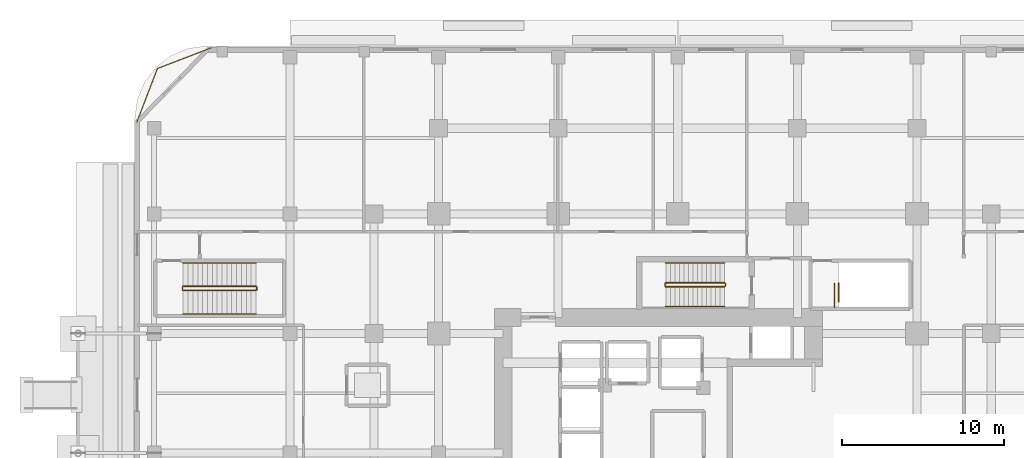
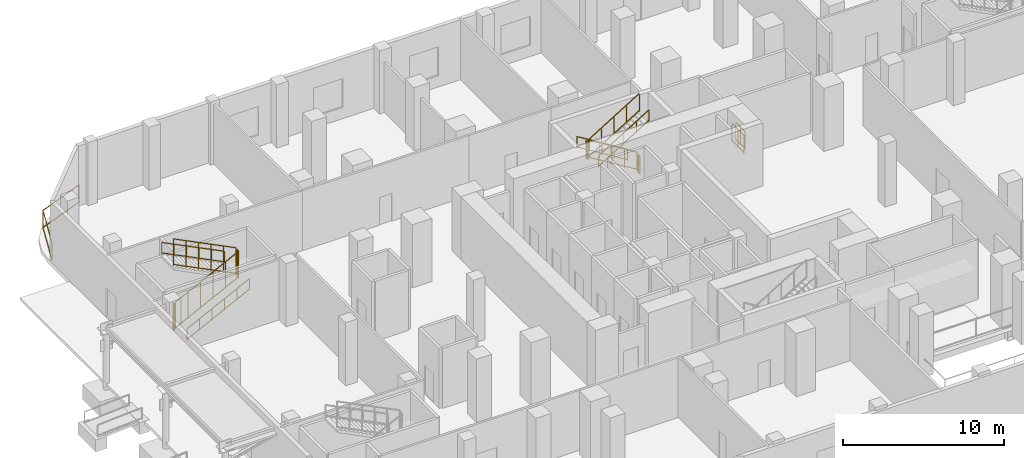
# One storey, part 21 of 24: 15 railings.
"""IFC4 building model written with IfcOpenShell, lengths in metres."""

from ifc_helpers import new_model, si_unit, direction, frame, origin, origin_2d, place, context, subcontext, project, spatial, rectangle, extrude, material, type_object, element, save


model = new_model("IFC4")

# Units and contexts
model_context = context("Model", 3, precision=1e-05, world=origin(), true_north=direction((0.0, 1.0)))
body_context = subcontext(model_context, "Body", "Model", "MODEL_VIEW")
ifc_project = project(units=[si_unit("LENGTHUNIT", "METRE"), si_unit("AREAUNIT", "SQUARE_METRE"), si_unit("VOLUMEUNIT", "CUBIC_METRE"), si_unit("PLANEANGLEUNIT", "RADIAN"), si_unit("MASSUNIT", "GRAM", prefix="KILO")], contexts=[model_context])

# Site, building, storey
site_placement = place(None, origin())
site = spatial("IfcSite", under=ifc_project, at=site_placement, CompositionType="ELEMENT")
building_placement = place(site_placement, origin())
building = spatial("IfcBuilding", under=site, at=building_placement, Name="Khorvyn Point Tower", CompositionType="ELEMENT")
storey_placement = place(building_placement, origin())
storey = spatial("IfcBuildingStorey", under=building, at=storey_placement, Name="L01", CompositionType="ELEMENT", Elevation=0.0)

# Railings
ifc_material_1 = material(Name="Anodised aluminium 6063-T6 and laminated safety glass", Category="aluminium")
railing_type_1 = type_object("IfcRailingType", Name="Laminated Glass and Aluminium Balcony Guardrail 1400", PredefinedType="BALUSTRADE", material=ifc_material_1)
railing_1_placement = place(storey_placement, frame((-28.870849609375, 25.073974609375, 0.0)))
element("IfcRailing", 1, at=railing_1_placement, inside=storey, type_object=railing_type_1, Name="L01 Rounded Corner Edge Guardrail NW", PredefinedType="BALUSTRADE", context=body_context, shape_type="SweptSolid", body=[
    extrude(rectangle(XDim=0.048095703125, YDim=0.048095703125, at=origin_2d()), frame((0.0, 0.0, 1.3759765625), z_axis=(-0.933575007025, -0.358382067435, 0.0), x_axis=(0.358382067435, -0.933575007025, 0.0)), (0.0, 0.0, 1.0), 3.562744140625),
    extrude(rectangle(XDim=0.048095703125, YDim=0.048095703125, at=origin_2d()), frame((0.0, 0.0, 0.080078125), z_axis=(-0.933575007025, -0.358382067435, 0.0), x_axis=(0.358382067435, -0.933575007025, 0.0)), (0.0, 0.0, 1.0), 3.562744140625),
    extrude(rectangle(XDim=0.048095703125, YDim=0.048095703125, at=origin_2d()), frame((-3.326171875, -1.27685546875, 1.3759765625), z_axis=(-0.35841886047, -0.933560882031, 0.0), x_axis=(0.933560882031, -0.35841886047, 0.0)), (0.0, 0.0, 1.0), 3.563232421875),
    extrude(rectangle(XDim=0.048095703125, YDim=0.048095703125, at=origin_2d()), frame((-3.326171875, -1.27685546875, 0.080078125), z_axis=(-0.35841886047, -0.933560882031, 0.0), x_axis=(0.933560882031, -0.35841886047, 0.0)), (0.0, 0.0, 1.0), 3.563232421875),
    extrude(rectangle(XDim=0.0419921875, YDim=0.0419921875, at=origin_2d()), origin(), (0.0, 0.0, 1.0), 1.351806640625),
    extrude(rectangle(XDim=0.0419921875, YDim=0.0419921875, at=origin_2d()), frame((-3.326171875, -1.27685546875, 0.0)), (0.0, 0.0, 1.0), 1.351806640625),
    extrude(rectangle(XDim=0.0419921875, YDim=0.0419921875, at=origin_2d()), frame((-4.603271484375, -4.603271484375, 0.0)), (0.0, 0.0, 1.0), 1.351806640625),
])
ifc_material_2 = material(Name="Stainless steel 1.4301", Category="steel")
railing_type_2 = type_object("IfcRailingType", Name="Stainless Steel 304 Stair Pitch Handrail 900", PredefinedType="HANDRAIL", material=ifc_material_2)
railing_2_placement = place(storey_placement, frame((2.89990234375, 11.77001953125, 0.17138671875)))
element("IfcRailing", 2, at=railing_2_placement, inside=storey, type_object=railing_type_2, Name="L01 ST-02 stair handrail 1", PredefinedType="HANDRAIL", context=body_context, shape_type="SweptSolid", body=[
    extrude(rectangle(XDim=0.048095703125, YDim=0.048095703125, at=origin_2d()), frame((0.0, 0.0, 0.8759765625), z_axis=(-0.852850264322, 0.0, 0.5221555579), x_axis=(0.0, -1.0, 0.0)), (0.0, 0.0, 1.0), 4.267822265625),
    extrude(rectangle(XDim=0.048095703125, YDim=0.048095703125, at=origin_2d()), frame((0.0, 0.0, 0.080078125), z_axis=(-0.852850264322, 0.0, 0.5221555579), x_axis=(0.0, -1.0, 0.0)), (0.0, 0.0, 1.0), 4.267822265625),
    extrude(rectangle(XDim=0.0419921875, YDim=0.0419921875, at=origin_2d()), origin(), (0.0, 0.0, 1.0), 0.851806640625),
    extrude(rectangle(XDim=0.0419921875, YDim=0.0419921875, at=origin_2d()), frame((-0.909912109375, 0.0, 0.55712890625)), (0.0, 0.0, 1.0), 0.851806640625),
    extrude(rectangle(XDim=0.0419921875, YDim=0.0419921875, at=origin_2d()), frame((-1.81982421875, 0.0, 1.1142578125)), (0.0, 0.0, 1.0), 0.851806640625),
    extrude(rectangle(XDim=0.0419921875, YDim=0.0419921875, at=origin_2d()), frame((-2.72998046875, 0.0, 1.67138671875)), (0.0, 0.0, 1.0), 0.851806640625),
    extrude(rectangle(XDim=0.0419921875, YDim=0.0419921875, at=origin_2d()), frame((-3.639892578125, 0.0, 2.228515625)), (0.0, 0.0, 1.0), 0.851806640625),
])
railing_3_placement = place(storey_placement, frame((-0.739990234375, 9.070068359375, 2.571533203125)))
element("IfcRailing", 3, at=railing_3_placement, inside=storey, type_object=railing_type_2, Name="L01 ST-02 stair handrail 2", PredefinedType="HANDRAIL", context=body_context, shape_type="SweptSolid", body=[
    extrude(rectangle(XDim=0.048095703125, YDim=0.048095703125, at=origin_2d()), frame((0.0, 0.0, 0.8759765625), z_axis=(0.852850264322, 0.0, 0.5221555579), x_axis=(0.0, 1.0, 0.0)), (0.0, 0.0, 1.0), 4.267822265625),
    extrude(rectangle(XDim=0.048095703125, YDim=0.048095703125, at=origin_2d()), frame((0.0, 0.0, 0.080078125), z_axis=(0.852850264322, 0.0, 0.5221555579), x_axis=(0.0, 1.0, 0.0)), (0.0, 0.0, 1.0), 4.267822265625),
    extrude(rectangle(XDim=0.0419921875, YDim=0.0419921875, at=origin_2d()), origin(), (0.0, 0.0, 1.0), 0.851806640625),
    extrude(rectangle(XDim=0.0419921875, YDim=0.0419921875, at=origin_2d()), frame((0.909912109375, 0.0, 0.55712890625)), (0.0, 0.0, 1.0), 0.851806640625),
    extrude(rectangle(XDim=0.0419921875, YDim=0.0419921875, at=origin_2d()), frame((1.81982421875, 0.0, 1.1142578125)), (0.0, 0.0, 1.0), 0.851806640625),
    extrude(rectangle(XDim=0.0419921875, YDim=0.0419921875, at=origin_2d()), frame((2.72998046875, 0.0, 1.67138671875)), (0.0, 0.0, 1.0), 0.851806640625),
    extrude(rectangle(XDim=0.0419921875, YDim=0.0419921875, at=origin_2d()), frame((3.639892578125, 0.0, 2.228515625)), (0.0, 0.0, 1.0), 0.851806640625),
])
railing_4_placement = place(storey_placement, frame((-30.60009765625, 8.610107421875, 0.14990234375)))
element("IfcRailing", 4, at=railing_4_placement, inside=storey, type_object=railing_type_2, Name="L01 ST-S2 stair handrail 1", PredefinedType="HANDRAIL", context=body_context, shape_type="SweptSolid", body=[
    extrude(rectangle(XDim=0.048095703125, YDim=0.048095703125, at=origin_2d()), frame((0.0, 0.0, 0.8759765625), z_axis=(0.894427191, 0.0, 0.4472135955), x_axis=(0.0, 1.0, 0.0)), (0.0, 0.0, 1.0), 5.03125),
    extrude(rectangle(XDim=0.048095703125, YDim=0.048095703125, at=origin_2d()), frame((0.0, 0.0, 0.080078125), z_axis=(0.894427191, 0.0, 0.4472135955), x_axis=(0.0, 1.0, 0.0)), (0.0, 0.0, 1.0), 5.03125),
    extrude(rectangle(XDim=0.0419921875, YDim=0.0419921875, at=origin_2d()), origin(), (0.0, 0.0, 1.0), 0.851806640625),
    extrude(rectangle(XDim=0.0419921875, YDim=0.0419921875, at=origin_2d()), frame((0.89990234375, 0.0, 0.449951171875)), (0.0, 0.0, 1.0), 0.851806640625),
    extrude(rectangle(XDim=0.0419921875, YDim=0.0419921875, at=origin_2d()), frame((1.800048828125, 0.0, 0.89990234375)), (0.0, 0.0, 1.0), 0.851806640625),
    extrude(rectangle(XDim=0.0419921875, YDim=0.0419921875, at=origin_2d()), frame((2.699951171875, 0.0, 1.35009765625)), (0.0, 0.0, 1.0), 0.851806640625),
    extrude(rectangle(XDim=0.0419921875, YDim=0.0419921875, at=origin_2d()), frame((3.60009765625, 0.0, 1.800048828125)), (0.0, 0.0, 1.0), 0.851806640625),
    extrude(rectangle(XDim=0.0419921875, YDim=0.0419921875, at=origin_2d()), frame((4.5, 0.0, 2.25)), (0.0, 0.0, 1.0), 0.851806640625),
])
railing_5_placement = place(storey_placement, frame((-26.10009765625, 11.77001953125, 2.550048828125)))
element("IfcRailing", 5, at=railing_5_placement, inside=storey, type_object=railing_type_2, Name="L01 ST-S2 stair handrail 2", PredefinedType="HANDRAIL", context=body_context, shape_type="SweptSolid", body=[
    extrude(rectangle(XDim=0.048095703125, YDim=0.048095703125, at=origin_2d()), frame((0.0, 0.0, 0.8759765625), z_axis=(-0.894427191, 0.0, 0.4472135955), x_axis=(0.0, -1.0, 0.0)), (0.0, 0.0, 1.0), 5.03125),
    extrude(rectangle(XDim=0.048095703125, YDim=0.048095703125, at=origin_2d()), frame((0.0, 0.0, 0.080078125), z_axis=(-0.894427191, 0.0, 0.4472135955), x_axis=(0.0, -1.0, 0.0)), (0.0, 0.0, 1.0), 5.03125),
    extrude(rectangle(XDim=0.0419921875, YDim=0.0419921875, at=origin_2d()), origin(), (0.0, 0.0, 1.0), 0.851806640625),
    extrude(rectangle(XDim=0.0419921875, YDim=0.0419921875, at=origin_2d()), frame((-0.89990234375, 0.0, 0.449951171875)), (0.0, 0.0, 1.0), 0.851806640625),
    extrude(rectangle(XDim=0.0419921875, YDim=0.0419921875, at=origin_2d()), frame((-1.800048828125, 0.0, 0.89990234375)), (0.0, 0.0, 1.0), 0.851806640625),
    extrude(rectangle(XDim=0.0419921875, YDim=0.0419921875, at=origin_2d()), frame((-2.699951171875, 0.0, 1.35009765625)), (0.0, 0.0, 1.0), 0.851806640625),
    extrude(rectangle(XDim=0.0419921875, YDim=0.0419921875, at=origin_2d()), frame((-3.60009765625, 0.0, 1.800048828125)), (0.0, 0.0, 1.0), 0.851806640625),
    extrude(rectangle(XDim=0.0419921875, YDim=0.0419921875, at=origin_2d()), frame((-4.5, 0.0, 2.25)), (0.0, 0.0, 1.0), 0.851806640625),
])
railing_type_3 = type_object("IfcRailingType", Name="Stainless Steel 304 Stair Well Guardrail 1400", PredefinedType="GUARDRAIL", material=ifc_material_2)
railing_6_placement = place(storey_placement, frame((2.89990234375, 10.550048828125, 0.17138671875)))
element("IfcRailing", 6, at=railing_6_placement, inside=storey, type_object=railing_type_3, Name="L01 ST-02 stair guard 1", PredefinedType="GUARDRAIL", context=body_context, shape_type="SweptSolid", body=[
    extrude(rectangle(XDim=0.048095703125, YDim=0.048095703125, at=origin_2d()), frame((0.0, 0.0, 1.3759765625), z_axis=(-0.852850264322, 0.0, 0.5221555579), x_axis=(0.0, -1.0, 0.0)), (0.0, 0.0, 1.0), 4.267822265625),
    extrude(rectangle(XDim=0.048095703125, YDim=0.048095703125, at=origin_2d()), frame((0.0, 0.0, 0.080078125), z_axis=(-0.852850264322, 0.0, 0.5221555579), x_axis=(0.0, -1.0, 0.0)), (0.0, 0.0, 1.0), 4.267822265625),
    extrude(rectangle(XDim=0.0419921875, YDim=0.0419921875, at=origin_2d()), origin(), (0.0, 0.0, 1.0), 1.351806640625),
    extrude(rectangle(XDim=0.0419921875, YDim=0.0419921875, at=origin_2d()), frame((-0.909912109375, 0.0, 0.55712890625)), (0.0, 0.0, 1.0), 1.351806640625),
    extrude(rectangle(XDim=0.0419921875, YDim=0.0419921875, at=origin_2d()), frame((-1.81982421875, 0.0, 1.1142578125)), (0.0, 0.0, 1.0), 1.351806640625),
    extrude(rectangle(XDim=0.0419921875, YDim=0.0419921875, at=origin_2d()), frame((-2.72998046875, 0.0, 1.67138671875)), (0.0, 0.0, 1.0), 1.351806640625),
    extrude(rectangle(XDim=0.0419921875, YDim=0.0419921875, at=origin_2d()), frame((-3.639892578125, 0.0, 2.228515625)), (0.0, 0.0, 1.0), 1.351806640625),
])
railing_7_placement = place(storey_placement, frame((-0.7900390625, 10.5, 2.39990234375)))
element("IfcRailing", 7, at=railing_7_placement, inside=storey, type_object=railing_type_3, Name="L01 ST-02 stair guard 2", PredefinedType="GUARDRAIL", context=body_context, shape_type="SweptSolid", body=[
    extrude(rectangle(XDim=0.048095703125, YDim=0.048095703125, at=origin_2d()), frame((0.0, 0.0, 1.3759765625), z_axis=(0.0, -1.0, 0.0), x_axis=(1.0, 0.0, 0.0)), (0.0, 0.0, 1.0), 0.159912109375),
    extrude(rectangle(XDim=0.048095703125, YDim=0.048095703125, at=origin_2d()), frame((0.0, 0.0, 0.080078125), z_axis=(0.0, -1.0, 0.0), x_axis=(1.0, 0.0, 0.0)), (0.0, 0.0, 1.0), 0.159912109375),
    extrude(rectangle(XDim=0.0419921875, YDim=0.0419921875, at=origin_2d()), origin(), (0.0, 0.0, 1.0), 1.351806640625),
    extrude(rectangle(XDim=0.0419921875, YDim=0.0419921875, at=origin_2d()), frame((0.0, -0.159912109375, 0.0)), (0.0, 0.0, 1.0), 1.351806640625),
])
railing_8_placement = place(storey_placement, frame((-0.739990234375, 10.2900390625, 2.571533203125)))
element("IfcRailing", 8, at=railing_8_placement, inside=storey, type_object=railing_type_3, Name="L01 ST-02 stair guard 3", PredefinedType="GUARDRAIL", context=body_context, shape_type="SweptSolid", body=[
    extrude(rectangle(XDim=0.048095703125, YDim=0.048095703125, at=origin_2d()), frame((0.0, 0.0, 1.3759765625), z_axis=(0.852850264322, 0.0, 0.5221555579), x_axis=(0.0, 1.0, 0.0)), (0.0, 0.0, 1.0), 4.267822265625),
    extrude(rectangle(XDim=0.048095703125, YDim=0.048095703125, at=origin_2d()), frame((0.0, 0.0, 0.080078125), z_axis=(0.852850264322, 0.0, 0.5221555579), x_axis=(0.0, 1.0, 0.0)), (0.0, 0.0, 1.0), 4.267822265625),
    extrude(rectangle(XDim=0.0419921875, YDim=0.0419921875, at=origin_2d()), origin(), (0.0, 0.0, 1.0), 1.351806640625),
    extrude(rectangle(XDim=0.0419921875, YDim=0.0419921875, at=origin_2d()), frame((0.909912109375, 0.0, 0.55712890625)), (0.0, 0.0, 1.0), 1.351806640625),
    extrude(rectangle(XDim=0.0419921875, YDim=0.0419921875, at=origin_2d()), frame((1.81982421875, 0.0, 1.1142578125)), (0.0, 0.0, 1.0), 1.351806640625),
    extrude(rectangle(XDim=0.0419921875, YDim=0.0419921875, at=origin_2d()), frame((2.72998046875, 0.0, 1.67138671875)), (0.0, 0.0, 1.0), 1.351806640625),
    extrude(rectangle(XDim=0.0419921875, YDim=0.0419921875, at=origin_2d()), frame((3.639892578125, 0.0, 2.228515625)), (0.0, 0.0, 1.0), 1.351806640625),
])
railing_9_placement = place(storey_placement, frame((2.949951171875, 10.5, 0.0)))
element("IfcRailing", 9, at=railing_9_placement, inside=storey, type_object=railing_type_3, Name="L01 ST-02 stair guard 4", PredefinedType="GUARDRAIL", context=body_context, shape_type="SweptSolid", body=[
    extrude(rectangle(XDim=0.048095703125, YDim=0.048095703125, at=origin_2d()), frame((0.0, 0.0, 1.3759765625), z_axis=(0.0, -1.0, 0.0), x_axis=(1.0, 0.0, 0.0)), (0.0, 0.0, 1.0), 0.159912109375),
    extrude(rectangle(XDim=0.048095703125, YDim=0.048095703125, at=origin_2d()), frame((0.0, 0.0, 0.080078125), z_axis=(0.0, -1.0, 0.0), x_axis=(1.0, 0.0, 0.0)), (0.0, 0.0, 1.0), 0.159912109375),
    extrude(rectangle(XDim=0.0419921875, YDim=0.0419921875, at=origin_2d()), origin(), (0.0, 0.0, 1.0), 1.351806640625),
    extrude(rectangle(XDim=0.0419921875, YDim=0.0419921875, at=origin_2d()), frame((0.0, -0.159912109375, 0.0)), (0.0, 0.0, 1.0), 1.351806640625),
])
railing_10_placement = place(storey_placement, frame((9.699951171875, 9.02001953125, 0.0)))
element("IfcRailing", 10, at=railing_10_placement, inside=storey, type_object=railing_type_3, Name="L01 ST-B2 top well guard 1", PredefinedType="GUARDRAIL", context=body_context, shape_type="SweptSolid", body=[
    extrude(rectangle(XDim=0.048095703125, YDim=0.048095703125, at=origin_2d()), frame((0.0, 0.0, 1.3759765625), z_axis=(0.0, 1.0, 0.0), x_axis=(-1.0, 0.0, 0.0)), (0.0, 0.0, 1.0), 1.47998046875),
    extrude(rectangle(XDim=0.048095703125, YDim=0.048095703125, at=origin_2d()), frame((0.0, 0.0, 0.080078125), z_axis=(0.0, 1.0, 0.0), x_axis=(-1.0, 0.0, 0.0)), (0.0, 0.0, 1.0), 1.47998046875),
    extrude(rectangle(XDim=0.0419921875, YDim=0.0419921875, at=origin_2d()), origin(), (0.0, 0.0, 1.0), 1.351806640625),
    extrude(rectangle(XDim=0.0419921875, YDim=0.0419921875, at=origin_2d()), frame((0.0, 0.739990234375, 0.0)), (0.0, 0.0, 1.0), 1.351806640625),
    extrude(rectangle(XDim=0.0419921875, YDim=0.0419921875, at=origin_2d()), frame((0.0, 1.47998046875, 0.0)), (0.0, 0.0, 1.0), 1.351806640625),
])
railing_11_placement = place(storey_placement, frame((9.969970703125, 9.3701171875, 0.0)))
element("IfcRailing", 11, at=railing_11_placement, inside=storey, type_object=railing_type_3, Name="L01 ST-B2 Top-Well Lip Guardrail", PredefinedType="GUARDRAIL", context=body_context, shape_type="SweptSolid", body=[
    extrude(rectangle(XDim=0.048095703125, YDim=0.048095703125, at=origin_2d()), frame((0.0, 0.0, 1.3759765625), z_axis=(0.0, 1.0, 0.0), x_axis=(-1.0, 0.0, 0.0)), (0.0, 0.0, 1.0), 1.14990234375),
    extrude(rectangle(XDim=0.048095703125, YDim=0.048095703125, at=origin_2d()), frame((0.0, 0.0, 0.080078125), z_axis=(0.0, 1.0, 0.0), x_axis=(-1.0, 0.0, 0.0)), (0.0, 0.0, 1.0), 1.14990234375),
    extrude(rectangle(XDim=0.0419921875, YDim=0.0419921875, at=origin_2d()), origin(), (0.0, 0.0, 1.0), 1.351806640625),
    extrude(rectangle(XDim=0.0419921875, YDim=0.0419921875, at=origin_2d()), frame((0.0, 0.574951171875, 0.0)), (0.0, 0.0, 1.0), 1.351806640625),
    extrude(rectangle(XDim=0.0419921875, YDim=0.0419921875, at=origin_2d()), frame((0.0, 1.14990234375, 0.0)), (0.0, 0.0, 1.0), 1.351806640625),
])
railing_12_placement = place(storey_placement, frame((-30.60009765625, 10.06005859375, 0.14990234375)))
element("IfcRailing", 12, at=railing_12_placement, inside=storey, type_object=railing_type_3, Name="L01 ST-S2 stair guard 1", PredefinedType="GUARDRAIL", context=body_context, shape_type="SweptSolid", body=[
    extrude(rectangle(XDim=0.048095703125, YDim=0.048095703125, at=origin_2d()), frame((0.0, 0.0, 2.02587890625), z_axis=(0.894427191, 0.0, 0.4472135955), x_axis=(0.0, 1.0, 0.0)), (0.0, 0.0, 1.0), 5.03125),
    extrude(rectangle(XDim=0.048095703125, YDim=0.048095703125, at=origin_2d()), frame((0.0, 0.0, 0.080078125), z_axis=(0.894427191, 0.0, 0.4472135955), x_axis=(0.0, 1.0, 0.0)), (0.0, 0.0, 1.0), 5.03125),
    extrude(rectangle(XDim=0.0419921875, YDim=0.0419921875, at=origin_2d()), origin(), (0.0, 0.0, 1.0), 2.001953125),
    extrude(rectangle(XDim=0.0419921875, YDim=0.0419921875, at=origin_2d()), frame((0.89990234375, 0.0, 0.449951171875)), (0.0, 0.0, 1.0), 2.001953125),
    extrude(rectangle(XDim=0.0419921875, YDim=0.0419921875, at=origin_2d()), frame((1.800048828125, 0.0, 0.89990234375)), (0.0, 0.0, 1.0), 2.001953125),
    extrude(rectangle(XDim=0.0419921875, YDim=0.0419921875, at=origin_2d()), frame((2.699951171875, 0.0, 1.35009765625)), (0.0, 0.0, 1.0), 2.001953125),
    extrude(rectangle(XDim=0.0419921875, YDim=0.0419921875, at=origin_2d()), frame((3.60009765625, 0.0, 1.800048828125)), (0.0, 0.0, 1.0), 2.001953125),
    extrude(rectangle(XDim=0.0419921875, YDim=0.0419921875, at=origin_2d()), frame((4.5, 0.0, 2.25)), (0.0, 0.0, 1.0), 2.001953125),
])
railing_13_placement = place(storey_placement, frame((-26.050048828125, 10.110107421875, 2.39990234375)))
element("IfcRailing", 13, at=railing_13_placement, inside=storey, type_object=railing_type_3, Name="L01 ST-S2 stair guard 2", PredefinedType="GUARDRAIL", context=body_context, shape_type="SweptSolid", body=[
    extrude(rectangle(XDim=0.048095703125, YDim=0.048095703125, at=origin_2d()), frame((0.0, 0.0, 2.02587890625), z_axis=(0.0, 1.0, 0.0), x_axis=(-1.0, 0.0, 0.0)), (0.0, 0.0, 1.0), 0.159912109375),
    extrude(rectangle(XDim=0.048095703125, YDim=0.048095703125, at=origin_2d()), frame((0.0, 0.0, 0.080078125), z_axis=(0.0, 1.0, 0.0), x_axis=(-1.0, 0.0, 0.0)), (0.0, 0.0, 1.0), 0.159912109375),
    extrude(rectangle(XDim=0.0419921875, YDim=0.0419921875, at=origin_2d()), origin(), (0.0, 0.0, 1.0), 2.001953125),
    extrude(rectangle(XDim=0.0419921875, YDim=0.0419921875, at=origin_2d()), frame((0.0, 0.159912109375, 0.0)), (0.0, 0.0, 1.0), 2.001953125),
])
railing_14_placement = place(storey_placement, frame((-26.10009765625, 10.320068359375, 2.550048828125)))
element("IfcRailing", 14, at=railing_14_placement, inside=storey, type_object=railing_type_3, Name="L01 ST-S2 stair guard 3", PredefinedType="GUARDRAIL", context=body_context, shape_type="SweptSolid", body=[
    extrude(rectangle(XDim=0.048095703125, YDim=0.048095703125, at=origin_2d()), frame((0.0, 0.0, 2.02587890625), z_axis=(-0.894427191, 0.0, 0.4472135955), x_axis=(0.0, -1.0, 0.0)), (0.0, 0.0, 1.0), 5.03125),
    extrude(rectangle(XDim=0.048095703125, YDim=0.048095703125, at=origin_2d()), frame((0.0, 0.0, 0.080078125), z_axis=(-0.894427191, 0.0, 0.4472135955), x_axis=(0.0, -1.0, 0.0)), (0.0, 0.0, 1.0), 5.03125),
    extrude(rectangle(XDim=0.0419921875, YDim=0.0419921875, at=origin_2d()), origin(), (0.0, 0.0, 1.0), 2.001953125),
    extrude(rectangle(XDim=0.0419921875, YDim=0.0419921875, at=origin_2d()), frame((-0.89990234375, 0.0, 0.449951171875)), (0.0, 0.0, 1.0), 2.001953125),
    extrude(rectangle(XDim=0.0419921875, YDim=0.0419921875, at=origin_2d()), frame((-1.800048828125, 0.0, 0.89990234375)), (0.0, 0.0, 1.0), 2.001953125),
    extrude(rectangle(XDim=0.0419921875, YDim=0.0419921875, at=origin_2d()), frame((-2.699951171875, 0.0, 1.35009765625)), (0.0, 0.0, 1.0), 2.001953125),
    extrude(rectangle(XDim=0.0419921875, YDim=0.0419921875, at=origin_2d()), frame((-3.60009765625, 0.0, 1.800048828125)), (0.0, 0.0, 1.0), 2.001953125),
    extrude(rectangle(XDim=0.0419921875, YDim=0.0419921875, at=origin_2d()), frame((-4.5, 0.0, 2.25)), (0.0, 0.0, 1.0), 2.001953125),
])
railing_15_placement = place(storey_placement, frame((-30.64990234375, 10.110107421875, 0.0)))
element("IfcRailing", 15, at=railing_15_placement, inside=storey, type_object=railing_type_3, Name="L01 ST-S2 stair guard 4", PredefinedType="GUARDRAIL", context=body_context, shape_type="SweptSolid", body=[
    extrude(rectangle(XDim=0.048095703125, YDim=0.048095703125, at=origin_2d()), frame((0.0, 0.0, 2.02587890625), z_axis=(0.0, 1.0, 0.0), x_axis=(-1.0, 0.0, 0.0)), (0.0, 0.0, 1.0), 0.159912109375),
    extrude(rectangle(XDim=0.048095703125, YDim=0.048095703125, at=origin_2d()), frame((0.0, 0.0, 0.080078125), z_axis=(0.0, 1.0, 0.0), x_axis=(-1.0, 0.0, 0.0)), (0.0, 0.0, 1.0), 0.159912109375),
    extrude(rectangle(XDim=0.0419921875, YDim=0.0419921875, at=origin_2d()), origin(), (0.0, 0.0, 1.0), 2.001953125),
    extrude(rectangle(XDim=0.0419921875, YDim=0.0419921875, at=origin_2d()), frame((0.0, 0.159912109375, 0.0)), (0.0, 0.0, 1.0), 2.001953125),
])

save(model, "model.ifc")
